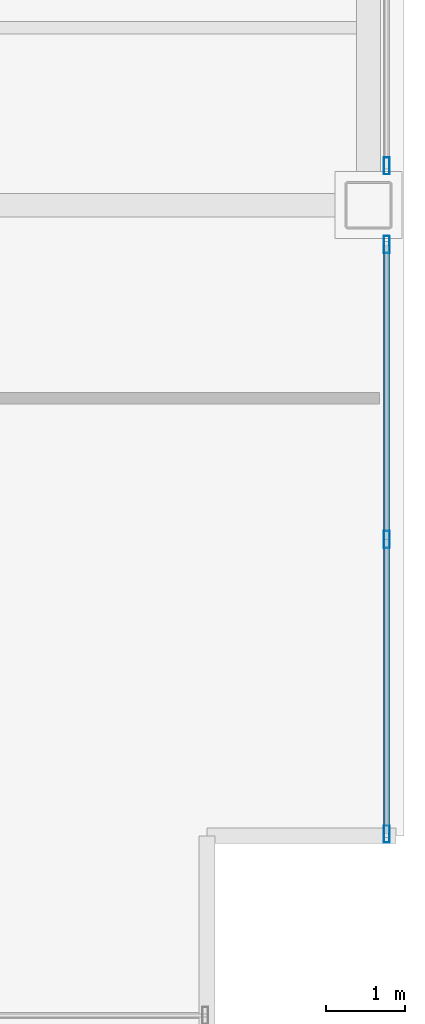
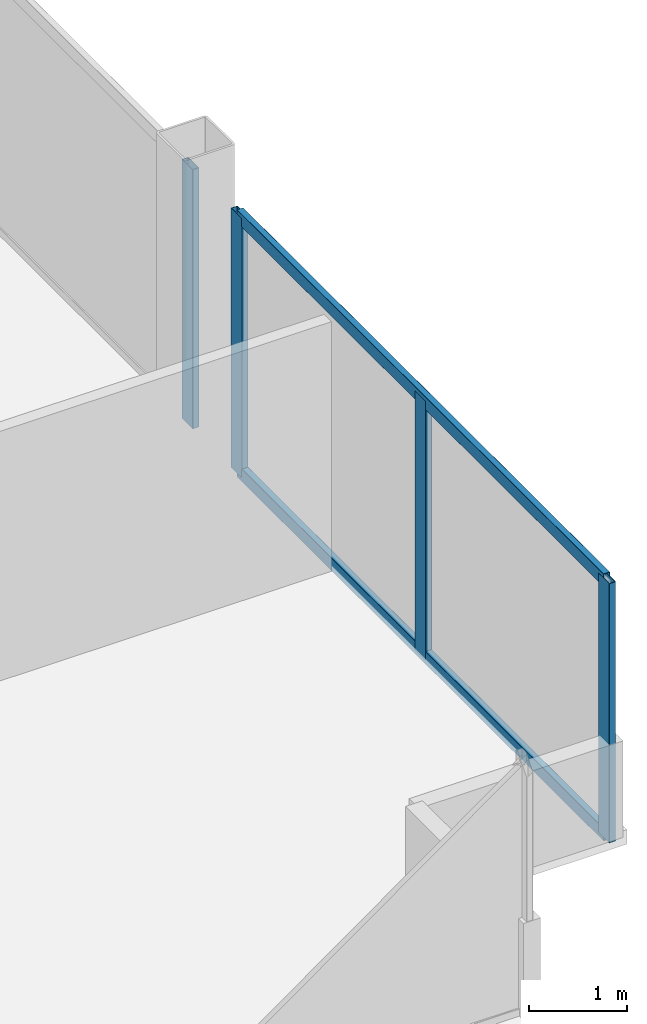
# One storey, part 11 of 21: 6 members, 2 elements without a shape of their own.
"""IFC4 building model written with IfcOpenShell, lengths in metres."""

from ifc_helpers import new_model, si_unit, direction, frame, origin, origin_2d, place, context, subcontext, project, spatial, hollow_rectangle, extrude, material, material_profile, profile_set, type_object, element, aggregate, save


model = new_model("IFC4")

# Units and contexts
model_context = context("Model", 3, precision=1e-05, world=origin(), true_north=direction((0.0, 1.0)))
body_context = subcontext(model_context, "Body", "Model", "MODEL_VIEW")
ifc_project = project(units=[si_unit("LENGTHUNIT", "METRE"), si_unit("AREAUNIT", "SQUARE_METRE"), si_unit("VOLUMEUNIT", "CUBIC_METRE"), si_unit("PLANEANGLEUNIT", "RADIAN"), si_unit("MASSUNIT", "GRAM", prefix="KILO")], contexts=[model_context])

# Site, building, storey
site_placement = place(None, origin())
site = spatial("IfcSite", under=ifc_project, at=site_placement, CompositionType="ELEMENT")
building_placement = place(site_placement, origin())
building = spatial("IfcBuilding", under=site, at=building_placement, Name="Noeulbin Bourse Tower", CompositionType="ELEMENT")
storey_placement = place(building_placement, frame((0.0, 0.0, 92.800048828125)))
storey = spatial("IfcBuildingStorey", under=building, at=storey_placement, Name="L23", CompositionType="ELEMENT", Elevation=92.800048828125)

# Curtain wall, members
ifc_material_1 = material(Name="Dark Solar-Control Double Glazing", Category="glass")
curtain_wall_type = type_object("IfcCurtainWallType", Name="CW-SYS-2", PredefinedType="NOTDEFINED", material=ifc_material_1)
curtain_wall_1_placement = place(storey_placement, origin())
curtain_wall_1 = element("IfcCurtainWall", 1, at=curtain_wall_1_placement, inside=storey, type_object=curtain_wall_type, Name="Unitised Curtain Wall CW-L23-E-S1", PredefinedType="NOTDEFINED")
ifc_material_2 = material(Name="Anodised Aluminium 6063-T6", Category="aluminium")
ifc_material_profile_1 = material_profile(ifc_material_2, hollow_rectangle(XDim=0.074951171875, YDim=0.219970703125, WallThickness=0.0048828125, InnerFilletRadius=0.00244140625, OuterFilletRadius=0.0048828125, at=origin_2d()), Name="ALU-MULL-75x220x5", Category="LoadBearing")
ifc_profile_set_1 = profile_set([ifc_material_profile_1], Name="Anodised Aluminium 6063-T6")
member_type_1 = type_object("IfcMemberType", Name="CW-SYS-2-MUL", PredefinedType="MULLION", material=ifc_profile_set_1)
member_1_placement = place(storey_placement, frame((57.280029296875, 12.02001953125, -0.02001953125), z_axis=(0.0, 0.0, 1.0), x_axis=(1.0, 0.0, 0.0)))
member_1 = element("IfcMember", 2, at=member_1_placement, type_object=member_type_1, Name="Curtain Wall Mullion CW-L23-E-S1-M00", PredefinedType="MULLION", context=body_context, shape_type="SweptSolid", body=[
    extrude(hollow_rectangle(XDim=0.074951171875, YDim=0.219970703125, WallThickness=0.0048828125, InnerFilletRadius=0.00244140625, OuterFilletRadius=0.0048828125, at=origin_2d()), origin(), (0.0, 0.0, 1.0), 3.219970703125),
])
member_2_placement = place(storey_placement, frame((57.280029296875, 15.760009765625, -0.02001953125), z_axis=(0.0, 0.0, 1.0), x_axis=(1.0, 0.0, 0.0)))
member_2 = element("IfcMember", 3, at=member_2_placement, type_object=member_type_1, Name="Curtain Wall Mullion CW-L23-E-S1-M01", PredefinedType="MULLION", context=body_context, shape_type="SweptSolid", body=[
    extrude(hollow_rectangle(XDim=0.074951171875, YDim=0.219970703125, WallThickness=0.0048828125, InnerFilletRadius=0.00244140625, OuterFilletRadius=0.0048828125, at=origin_2d()), origin(), (0.0, 0.0, 1.0), 3.219970703125),
])
member_3_placement = place(storey_placement, frame((57.280029296875, 19.5, -0.02001953125), z_axis=(0.0, 0.0, 1.0), x_axis=(1.0, 0.0, 0.0)))
member_3 = element("IfcMember", 4, at=member_3_placement, type_object=member_type_1, Name="Curtain Wall Mullion CW-L23-E-S1-M02", PredefinedType="MULLION", context=body_context, shape_type="SweptSolid", body=[
    extrude(hollow_rectangle(XDim=0.074951171875, YDim=0.219970703125, WallThickness=0.0048828125, InnerFilletRadius=0.00244140625, OuterFilletRadius=0.0048828125, at=origin_2d()), origin(), (0.0, 0.0, 1.0), 3.219970703125),
])

# Curtain wall, member
curtain_wall_2_placement = place(storey_placement, origin())
curtain_wall_2 = element("IfcCurtainWall", 5, at=curtain_wall_2_placement, inside=storey, type_object=curtain_wall_type, Name="Unitised Curtain Wall CW-L23-E-S2", PredefinedType="NOTDEFINED")
member_4_placement = place(storey_placement, frame((57.280029296875, 20.5, -0.02001953125), z_axis=(0.0, 0.0, 1.0), x_axis=(1.0, 0.0, 0.0)))
member_4 = element("IfcMember", 6, at=member_4_placement, type_object=member_type_1, Name="Curtain Wall Mullion CW-L23-E-S2-M00", PredefinedType="MULLION", context=body_context, shape_type="SweptSolid", body=[
    extrude(hollow_rectangle(XDim=0.074951171875, YDim=0.219970703125, WallThickness=0.0048828125, InnerFilletRadius=0.00244140625, OuterFilletRadius=0.0048828125, at=origin_2d()), origin(), (0.0, 0.0, 1.0), 3.219970703125),
])
aggregate(curtain_wall_2, [member_4])

# Member
ifc_material_profile_2 = material_profile(ifc_material_2, hollow_rectangle(XDim=0.074951171875, YDim=0.159912109375, WallThickness=0.0048828125, InnerFilletRadius=0.00244140625, OuterFilletRadius=0.0048828125, at=origin_2d()), Name="ALU-TRAN-75x160x5", Category="LoadBearing")
ifc_profile_set_2 = profile_set([ifc_material_profile_2], Name="Anodised Aluminium 6063-T6")
member_type_2 = type_object("IfcMemberType", Name="CW-SYS-2-TRN", PredefinedType="USERDEFINED", material=ifc_profile_set_2)
member_5_placement = place(storey_placement, frame((57.280029296875, 12.030029296875, 0.010009765625), z_axis=(0.0, 1.0, 0.0), x_axis=(-1.0, 0.0, 0.0)))
member_5 = element("IfcMember", 7, at=member_5_placement, type_object=member_type_2, Name="Curtain Wall Transom CW-L23-E-S1-T00", ObjectType="TRANSOM", PredefinedType="USERDEFINED", context=body_context, shape_type="SweptSolid", body=[
    extrude(hollow_rectangle(XDim=0.074951171875, YDim=0.159912109375, WallThickness=0.0048828125, InnerFilletRadius=0.00244140625, OuterFilletRadius=0.0048828125, at=origin_2d()), origin(), (0.0, 0.0, 1.0), 7.4599609375),
])

member_6_placement = place(storey_placement, frame((57.280029296875, 12.030029296875, 3.169921875), z_axis=(0.0, 1.0, 0.0), x_axis=(-1.0, 0.0, 0.0)))
member_6 = element("IfcMember", 8, at=member_6_placement, type_object=member_type_2, Name="Curtain Wall Transom CW-L23-E-S1-T01", ObjectType="TRANSOM", PredefinedType="USERDEFINED", context=body_context, shape_type="SweptSolid", body=[
    extrude(hollow_rectangle(XDim=0.074951171875, YDim=0.159912109375, WallThickness=0.0048828125, InnerFilletRadius=0.00244140625, OuterFilletRadius=0.0048828125, at=origin_2d()), origin(), (0.0, 0.0, 1.0), 7.4599609375),
])

aggregate(curtain_wall_1, [member_1, member_2, member_3, member_5, member_6])

save(model, "model.ifc")
